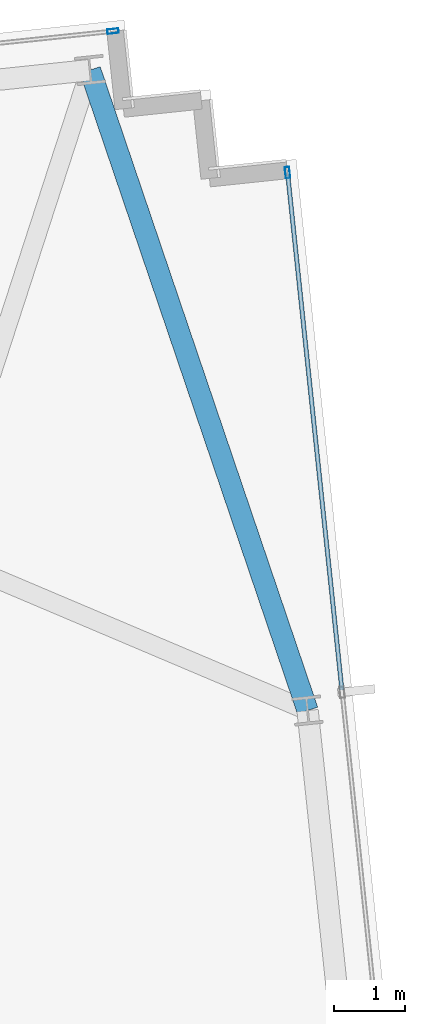
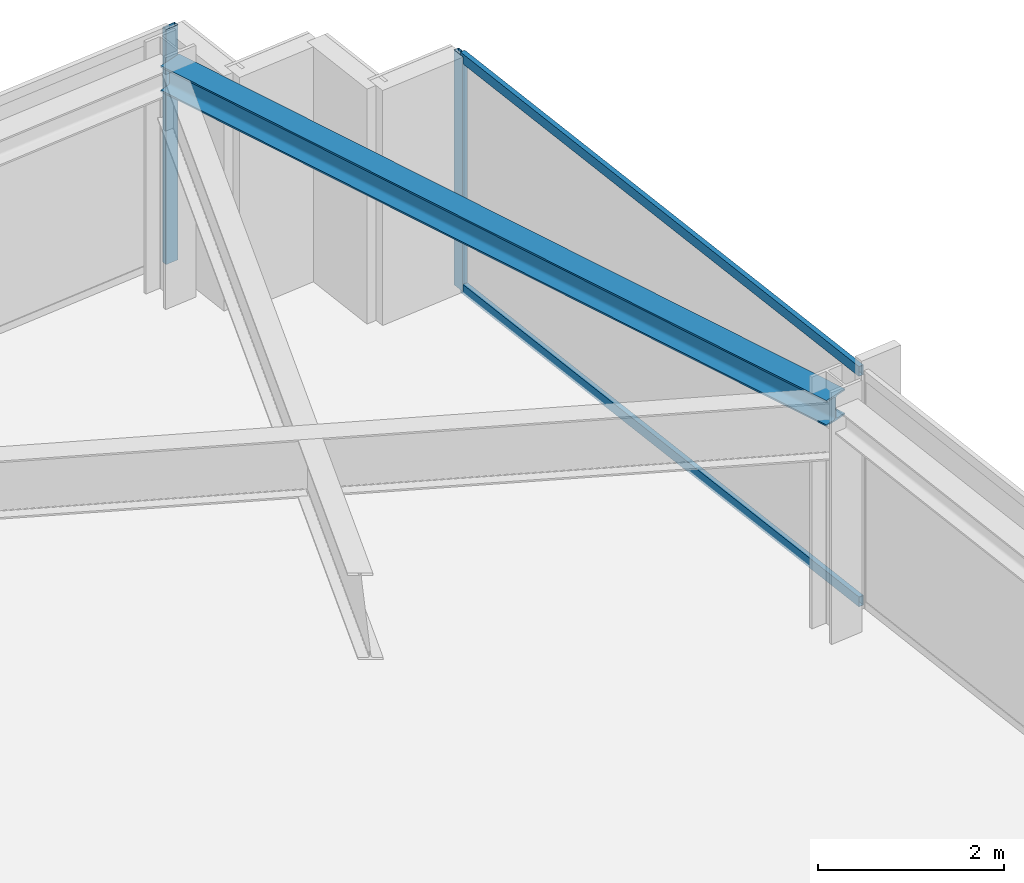
# One storey, part 25 of 33: 4 members, 1 beam, 2 elements without a shape of their own.
"""IFC4 building model written with IfcOpenShell, lengths in metres."""

from ifc_helpers import new_model, si_unit, direction, frame, origin, origin_2d, place, context, subcontext, project, spatial, hollow_rectangle, i_section, extrude, material, material_profile, profile_set, type_object, element, aggregate, save


model = new_model("IFC4")

# Units and contexts
model_context = context("Model", 3, precision=1e-05, world=origin(), true_north=direction((0.0, 1.0)))
body_context = subcontext(model_context, "Body", "Model", "MODEL_VIEW")
ifc_project = project(units=[si_unit("LENGTHUNIT", "METRE"), si_unit("AREAUNIT", "SQUARE_METRE"), si_unit("VOLUMEUNIT", "CUBIC_METRE"), si_unit("PLANEANGLEUNIT", "RADIAN"), si_unit("MASSUNIT", "GRAM", prefix="KILO")], contexts=[model_context])

# Site, building, storey
site_placement = place(None, origin())
site = spatial("IfcSite", under=ifc_project, at=site_placement, CompositionType="ELEMENT")
building_placement = place(site_placement, origin())
building = spatial("IfcBuilding", under=site, at=building_placement, Name="Yelkora Congress Tower", CompositionType="ELEMENT")
storey_placement = place(building_placement, frame((0.0, 0.0, 224.300048828125)))
storey = spatial("IfcBuildingStorey", under=building, at=storey_placement, Name="L62", CompositionType="ELEMENT", Elevation=224.300048828125)

# Beam
ifc_material_1 = material(Name="Steel S355J2", Category="steel")
ifc_material_profile_1 = material_profile(ifc_material_1, i_section(OverallWidth=0.300048828125, OverallDepth=0.340087890625, WebThickness=0.011962890625, FlangeThickness=0.021484375, FilletRadius=0.027099609375, at=origin_2d()), Name="HEB 340")
ifc_profile_set_1 = profile_set([ifc_material_profile_1], Name="Steel S355J2")
beam_type = type_object("IfcBeamType", Name="BM-SPAN-HEB340", PredefinedType="SPANDREL", material=ifc_profile_set_1)
beam_placement = place(storey_placement, frame((68.85400390625, 41.431884765625, 2.909912109375), z_axis=(-0.321575477611, 0.946883948644, 0.0), x_axis=(-0.946883948644, -0.321575477611, 0.0)))
element("IfcBeam", 1, at=beam_placement, inside=storey, type_object=beam_type, Name="L62 Perimeter Beam 12", PredefinedType="SPANDREL", context=body_context, shape_type="SweptSolid", body=[
    extrude(i_section(OverallWidth=0.300048828125, OverallDepth=0.340087890625, WebThickness=0.011962890625, FlangeThickness=0.021484375, FilletRadius=0.027099609375, at=origin_2d()), origin(), (0.0, 0.0, 1.0), 9.509765625),
])

# Curtain wall, member
ifc_material_2 = material(Name="Anodised aluminium and insulated glass", Category="aluminium")
curtain_wall_type = type_object("IfcCurtainWallType", Name="CW-SYS-B4", PredefinedType="NOTDEFINED", material=ifc_material_2)
curtain_wall_1_placement = place(storey_placement, origin())
curtain_wall_1 = element("IfcCurtainWall", 2, at=curtain_wall_1_placement, inside=storey, type_object=curtain_wall_type, Name="L62 Unitised Curtain Wall 10 (3)", PredefinedType="NOTDEFINED")
ifc_material_3 = material(Name="Anodised aluminium 6063-T6", Category="aluminium")
ifc_material_profile_2 = material_profile(ifc_material_3, hollow_rectangle(XDim=0.06494140625, YDim=0.159912109375, WallThickness=0.00390625, at=origin_2d()), Name="ALU 65x160x4")
ifc_profile_set_2 = profile_set([ifc_material_profile_2], Name="Anodised aluminium 6063-T6")
member_type_1 = type_object("IfcMemberType", Name="MEM-ML-B4", PredefinedType="MULLION", material=ifc_profile_set_2)
member_1_placement = place(storey_placement, frame((66.1181640625, 50.983154296875, 0.0), z_axis=(0.0, 0.0, 1.0), x_axis=(-0.104527724021, 0.994521973066, 0.0)))
member_1 = element("IfcMember", 3, at=member_1_placement, type_object=member_type_1, Name="CW-B4 mullion 7", PredefinedType="MULLION", context=body_context, shape_type="SweptSolid", body=[
    extrude(hollow_rectangle(XDim=0.06494140625, YDim=0.159912109375, WallThickness=0.00390625, at=origin_2d()), origin(), (0.0, 0.0, 1.0), 3.079833984375),
])
aggregate(curtain_wall_1, [member_1])

# Curtain wall, members
curtain_wall_2_placement = place(storey_placement, origin())
curtain_wall_2 = element("IfcCurtainWall", 4, at=curtain_wall_2_placement, inside=storey, type_object=curtain_wall_type, Name="L62 Unitised Curtain Wall 15", PredefinedType="NOTDEFINED")
member_2_placement = place(storey_placement, frame((68.57177734375, 48.996337890625, 0.0), z_axis=(0.0, 0.0, 1.0), x_axis=(0.994522182968, 0.104525726898, 0.0)))
member_2 = element("IfcMember", 5, at=member_2_placement, type_object=member_type_1, Name="CW-B4 mullion 1", PredefinedType="MULLION", context=body_context, shape_type="SweptSolid", body=[
    extrude(hollow_rectangle(XDim=0.06494140625, YDim=0.159912109375, WallThickness=0.00390625, at=origin_2d()), origin(), (0.0, 0.0, 1.0), 3.079833984375),
])
ifc_material_profile_3 = material_profile(ifc_material_3, hollow_rectangle(XDim=0.06005859375, YDim=0.1298828125, WallThickness=0.00390625, at=origin_2d()), Name="ALU 60x130x4")
ifc_profile_set_3 = profile_set([ifc_material_profile_3], Name="Anodised aluminium 6063-T6")
member_type_2 = type_object("IfcMemberType", Name="MEM-TR-B4", PredefinedType="USERDEFINED", material=ifc_profile_set_3)
member_3_placement = place(storey_placement, frame((68.5751953125, 48.9638671875, 0.030029296875), z_axis=(0.104531210832, -0.994521606584, 0.0), x_axis=(0.994521606584, 0.104531210832, 0.0)))
member_3 = element("IfcMember", 6, at=member_3_placement, type_object=member_type_2, Name="CW-B4 transom 1.1", ObjectType="TRANSOM", PredefinedType="USERDEFINED", context=body_context, shape_type="SweptSolid", body=[
    extrude(hollow_rectangle(XDim=0.06005859375, YDim=0.1298828125, WallThickness=0.00390625, at=origin_2d()), origin(), (0.0, 0.0, 1.0), 7.2822265625),
])
member_4_placement = place(storey_placement, frame((68.5751953125, 48.9638671875, 3.050048828125), z_axis=(0.104531210832, -0.994521606584, 0.0), x_axis=(0.994521606584, 0.104531210832, 0.0)))
member_4 = element("IfcMember", 7, at=member_4_placement, type_object=member_type_2, Name="CW-B4 transom 1.2", ObjectType="TRANSOM", PredefinedType="USERDEFINED", context=body_context, shape_type="SweptSolid", body=[
    extrude(hollow_rectangle(XDim=0.06005859375, YDim=0.1298828125, WallThickness=0.00390625, at=origin_2d()), origin(), (0.0, 0.0, 1.0), 7.2822265625),
])
aggregate(curtain_wall_2, [member_2, member_3, member_4])

save(model, "model.ifc")
